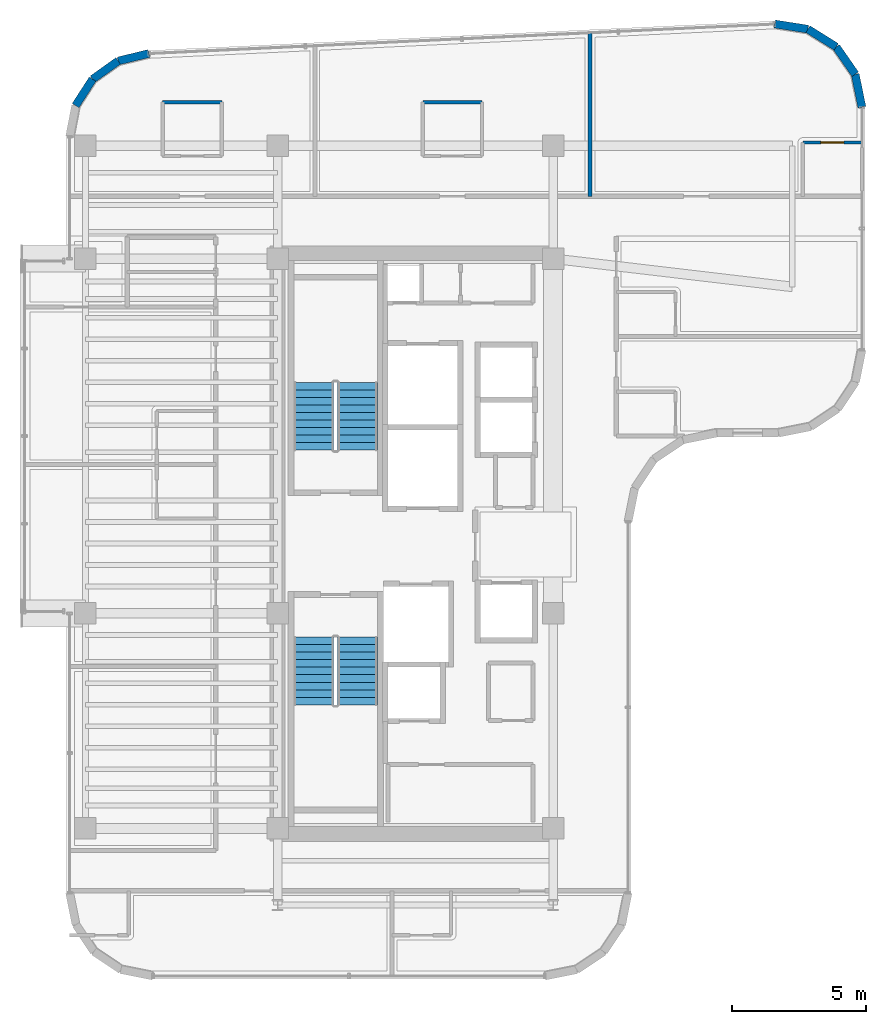
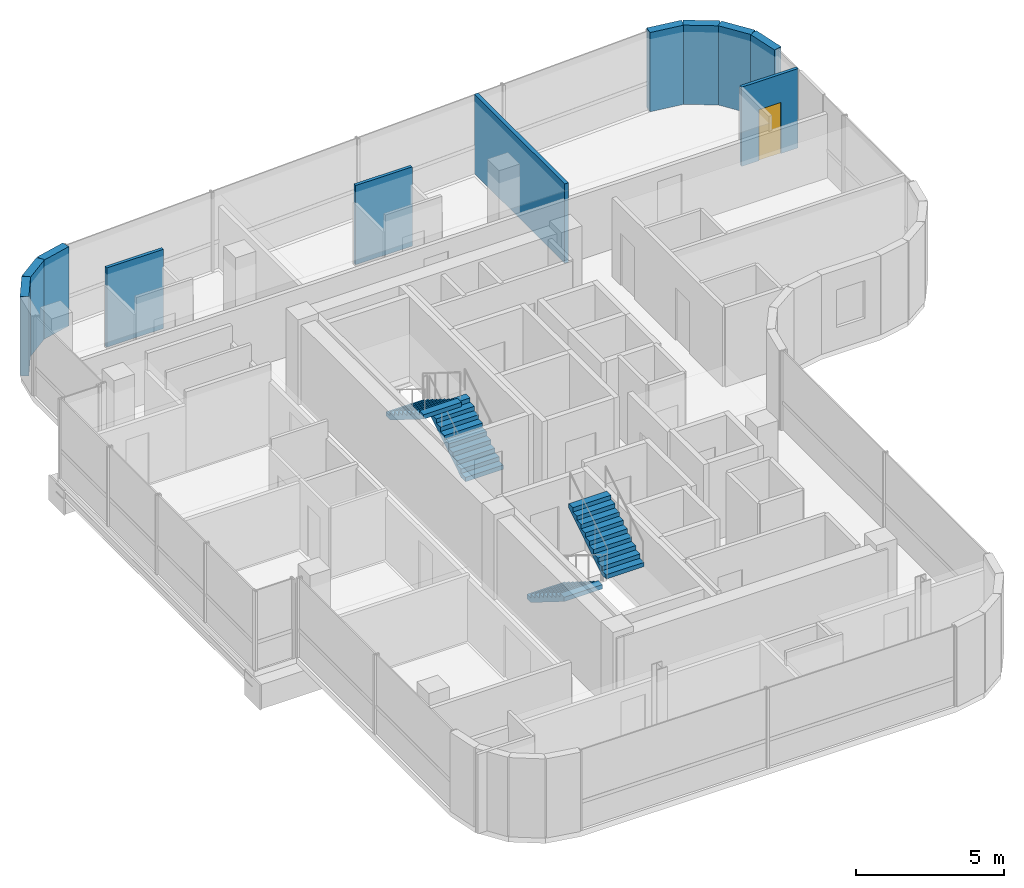
# One storey, part 17 of 20: 11 walls, 4 stair flights, 1 door, 1 opening, 2 elements without a shape of their own.
"""IFC4 building model written with IfcOpenShell, lengths in metres."""

import ifcopenshell
import ifcopenshell.guid

model = None  # the IFC model being written
_history = None  # IfcOwnerHistory: only IFC2X3 demands one
_inside = {}  # id of a spatial element -> (the spatial element, [elements in it])
_under = {}  # id of a project, library or spatial element -> (it, [spatial elements below it])
_declared = {}  # id of a project -> (the project, [libraries it declares])
_typed = {}  # id of a type object -> (the type object, [elements of that type])
_made_of = {}  # id of a material, layer set ... -> (it, [elements and type objects made of it])


def new_model(schema):
    """Start an empty IFC model of exactly this schema.

    Asked for "IFC4X3", IfcOpenShell would pick the latest addendum, in which some entities
    have other attributes; the version numbers below select the first issue.
    IFC2X3 requires an IfcOwnerHistory on every rooted entity: one is made here for all.
    """
    global model, _history
    if schema == "IFC4X3":
        model = ifcopenshell.file(schema_version=(4, 3, 0, 0))
    else:
        model = ifcopenshell.file(schema=schema)
    _inside.clear()
    _under.clear()
    _declared.clear()
    _typed.clear()
    _made_of.clear()
    _history = None
    if model.schema == "IFC2X3":
        org = make("IfcOrganization", Name="unknown")
        user = make(
            "IfcPersonAndOrganization",
            ThePerson=make("IfcPerson", FamilyName="unknown"),
            TheOrganization=org,
        )
        app = make(
            "IfcApplication",
            ApplicationDeveloper=org,
            Version="unknown",
            ApplicationFullName="unknown",
            ApplicationIdentifier="unknown",
        )
        _history = make(
            "IfcOwnerHistory",
            OwningUser=user,
            OwningApplication=app,
            ChangeAction="ADDED",
            CreationDate=0,
        )
    return model


def make(cls, **values):
    """One entity of the class cls with the attributes given. An attribute that is None is left unset."""
    return model.create_entity(
        cls, **{name: value for name, value in values.items() if value is not None}
    )


def rooted(cls, **values):
    """An entity with a GlobalId (a new one), such as an element, a storey or a relation."""
    return make(cls, GlobalId=ifcopenshell.guid.new(), OwnerHistory=_history, **values)


def si_unit(unit_type, name, prefix=None):
    """IfcSIUnit, for example si_unit("LENGTHUNIT", "METRE", prefix="MILLI")."""
    return make("IfcSIUnit", UnitType=unit_type, Prefix=prefix, Name=name)


def assignment(units):
    """IfcUnitAssignment: the units of a project."""
    return None if units is None else make("IfcUnitAssignment", Units=units)


def point(xyz):
    """IfcCartesianPoint."""
    return None if xyz is None else make("IfcCartesianPoint", Coordinates=xyz)


def direction(xyz):
    """IfcDirection."""
    return None if xyz is None else make("IfcDirection", DirectionRatios=xyz)


def frame(location, z_axis=None, x_axis=None):
    """IfcAxis2Placement3D, a coordinate frame: its origin and axes. An axis left out is left unset."""
    return make(
        "IfcAxis2Placement3D",
        Location=point(location),
        Axis=direction(z_axis),
        RefDirection=direction(x_axis),
    )


def frame_2d(location, x_axis=None):
    """IfcAxis2Placement2D, a coordinate frame in the plane: its origin and x axis."""
    return make(
        "IfcAxis2Placement2D", Location=point(location), RefDirection=direction(x_axis)
    )


def origin():
    """The frame at (0, 0, 0) with its axes left unset."""
    return frame((0.0, 0.0, 0.0))


def place(relative_to, where):
    """IfcLocalPlacement: puts the frame where relative to a parent placement (None: the world)."""
    return make(
        "IfcLocalPlacement", PlacementRelTo=relative_to, RelativePlacement=where
    )


def context(
    kind, dimensions, precision=None, world=None, true_north=None, identifier=None
):
    """IfcGeometricRepresentationContext, for example the 3D "Model" context."""
    return make(
        "IfcGeometricRepresentationContext",
        ContextIdentifier=identifier,
        ContextType=kind,
        CoordinateSpaceDimension=dimensions,
        Precision=precision,
        WorldCoordinateSystem=world,
        TrueNorth=true_north,
    )


def subcontext(parent, identifier, kind, view, scale=None):
    """IfcGeometricRepresentationSubContext, for example "Body" below "Model"."""
    return make(
        "IfcGeometricRepresentationSubContext",
        ContextIdentifier=identifier,
        ContextType=kind,
        ParentContext=parent,
        TargetScale=scale,
        TargetView=view,
    )


def project(units=None, contexts=None):
    """IfcProject with its units and contexts."""
    return rooted(
        "IfcProject",
        Name="project",
        RepresentationContexts=contexts,
        UnitsInContext=assignment(units),
    )


def spatial(cls, under=None, at=None, **own):
    """A site, building, storey or space (cls), placed at a placement, below another one or the project."""
    s = rooted(cls, ObjectPlacement=at, **own)
    if under is not None:
        _under.setdefault(under.id(), (under, []))[1].append(s)
    return s


def polyline(points):
    """IfcPolyline through the points."""
    return make("IfcPolyline", Points=[point(p) for p in points])


def profile(cls, at=None, kind="AREA", **sizes):
    """A parametric profile (cls). Its sizes go by their IFC names, for example OverallWidth=200.0."""
    return make(cls, ProfileType=kind, Position=at, **sizes)


def rectangle(**sizes):
    """IfcRectangleProfileDef."""
    return profile("IfcRectangleProfileDef", **sizes)


def outline(outer, holes=None, kind="AREA"):
    """IfcArbitraryClosedProfileDef: a profile drawn as a closed curve; with holes, ...WithVoids."""
    if holes is None:
        return make("IfcArbitraryClosedProfileDef", ProfileType=kind, OuterCurve=outer)
    return make(
        "IfcArbitraryProfileDefWithVoids",
        ProfileType=kind,
        OuterCurve=outer,
        InnerCurves=holes,
    )


def extrude(swept, where, along, depth):
    """IfcExtrudedAreaSolid: the profile swept, set in the frame where, extruded along a direction by depth."""
    return make(
        "IfcExtrudedAreaSolid",
        SweptArea=swept,
        Position=where,
        ExtrudedDirection=direction(along),
        Depth=depth,
    )


def shape(context_of_items, identifier, shape_type, items):
    """IfcShapeRepresentation: the items that make up one representation, for example the "Body"."""
    return make(
        "IfcShapeRepresentation",
        ContextOfItems=context_of_items,
        RepresentationIdentifier=identifier,
        RepresentationType=shape_type,
        Items=items,
    )


def material(Name=None, Category=None):
    """IfcMaterial."""
    return make("IfcMaterial", Name=Name, Category=Category)


def layer(
    of_material, thickness, ventilated=None, Name=None, Category=None, Priority=None
):
    """IfcMaterialLayer: one layer of a wall or slab, of a material (None: an air gap)."""
    return make(
        "IfcMaterialLayer",
        Material=of_material,
        LayerThickness=thickness,
        IsVentilated=ventilated,
        Name=Name,
        Category=Category,
        Priority=Priority,
    )


def layer_set(layers, Name=None):
    """IfcMaterialLayerSet."""
    return make("IfcMaterialLayerSet", MaterialLayers=layers, LayerSetName=Name)


def made_of(thing, what):
    """Note that an element or type object is made of a material, layer set ...; save() writes the relation."""
    if what is not None:
        _made_of.setdefault(what.id(), (what, []))[1].append(thing)
    return thing


def type_object(cls, material=None, **own):
    """A type object (cls), such as IfcWallType, which elements share."""
    return made_of(rooted(cls, **own), material)


def element(
    cls,
    number,
    at=None,
    inside=None,
    cuts=None,
    type_object=None,
    material=None,
    context=None,
    identifier="Body",
    shape_type=None,
    held_by="IfcProductDefinitionShape",
    body=None,
    shapes=None,
    **own,
):
    """One element of the class cls, such as IfcWall. Its Tag is "e" and its number.

    at: its placement. inside: the storey or other place that contains it. cuts: it is an
    opening in that element (IfcRelVoidsElement). A single representation is given by context,
    identifier, shape_type and body (its items); several are given by shapes. held_by: the class
    of the entity that holds the representations. save() writes the other relations.
    """
    e = rooted(cls, Tag="e%d" % number, ObjectPlacement=at, **own)
    if body is not None:
        shapes = [shape(context, identifier, shape_type, body)]
    if shapes is not None:
        e.Representation = make(held_by, Representations=shapes)
    if inside is not None:
        _inside.setdefault(inside.id(), (inside, []))[1].append(e)
    if cuts is not None:
        rooted(
            "IfcRelVoidsElement", RelatingBuildingElement=cuts, RelatedOpeningElement=e
        )
    if type_object is not None:
        _typed.setdefault(type_object.id(), (type_object, []))[1].append(e)
    return made_of(e, material)


def fill(opening, filler):
    """IfcRelFillsElement: the door or window that sits in an opening."""
    return rooted(
        "IfcRelFillsElement",
        RelatingOpeningElement=opening,
        RelatedBuildingElement=filler,
    )


def aggregate(whole, parts):
    """IfcRelAggregates: a whole, such as a stair, and the parts it consists of."""
    return rooted("IfcRelAggregates", RelatingObject=whole, RelatedObjects=parts)


def save(model, path):
    """Write the relations noted so far, then the file.

    IfcRelAggregates (storeys below a building ...), IfcRelContainedInSpatialStructure (elements
    in a storey), IfcRelDefinesByType, IfcRelAssociatesMaterial and IfcRelDeclares: one each for
    every whole, place, type object, material and project.
    """
    for whole, parts in _under.values():
        aggregate(whole, parts)
    for where, things in _inside.values():
        rooted(
            "IfcRelContainedInSpatialStructure",
            RelatedElements=things,
            RelatingStructure=where,
        )
    for kind, things in _typed.values():
        rooted("IfcRelDefinesByType", RelatedObjects=things, RelatingType=kind)
    for what, things in _made_of.values():
        rooted("IfcRelAssociatesMaterial", RelatedObjects=things, RelatingMaterial=what)
    for by, libraries in _declared.values():
        rooted("IfcRelDeclares", RelatingContext=by, RelatedDefinitions=libraries)
    model.write(path)


model = new_model("IFC4")

# Units and contexts
model_context = context("Model", 3, precision=1e-05, world=origin(), true_north=direction((0.0, 1.0)))
body_context = subcontext(model_context, "Body", "Model", "MODEL_VIEW")
ifc_project = project(units=[si_unit("LENGTHUNIT", "METRE"), si_unit("AREAUNIT", "SQUARE_METRE"), si_unit("VOLUMEUNIT", "CUBIC_METRE"), si_unit("PLANEANGLEUNIT", "RADIAN"), si_unit("MASSUNIT", "GRAM", prefix="KILO")], contexts=[model_context])

# Site, building, storey
site_placement = place(None, origin())
site = spatial("IfcSite", under=ifc_project, at=site_placement, CompositionType="ELEMENT")
building_placement = place(site_placement, origin())
building = spatial("IfcBuilding", under=site, at=building_placement, Name="Valdorenza Pilgrim Sanctuary Tower", CompositionType="ELEMENT")
storey_placement = place(building_placement, frame((0.0, 0.0, 240.5)))
storey = spatial("IfcBuildingStorey", under=building, at=storey_placement, Name="L62", CompositionType="ELEMENT", Elevation=240.5)

# Walls
ifc_material_1 = material(Name="Honed travertine limestone", Category="masonry")
ifc_layer_1 = layer(ifc_material_1, 0.300048828125, Name="Honed travertine limestone")
ifc_layer_set_1 = layer_set([ifc_layer_1], Name="Honed travertine limestone")
wall_type_1 = type_object("IfcWallType", Name="WAL-EXT-300", PredefinedType="SOLIDWALL", material=ifc_layer_set_1)
wall_1_placement = place(storey_placement, frame((-30.16650390625, 16.29541015625, 0.0), z_axis=(0.0, 0.0, 1.0), x_axis=(0.540842020947, 0.841124193195, 0.0)))
element("IfcWall", 1, at=wall_1_placement, inside=storey, type_object=wall_type_1, Name="L62 Rounded Wind-Corner Stone Pier 3", PredefinedType="SOLIDWALL", context=body_context, shape_type="SweptSolid", body=[
    extrude(rectangle(XDim=1.169189453125, YDim=0.300048828125, at=frame_2d((0.58447265625, 0.0))), origin(), (0.0, 0.0, 1.0), 3.260009765625),
])
wall_2_placement = place(storey_placement, frame((-29.5341796875, 17.27880859375, 0.0), z_axis=(0.0, 0.0, 1.0), x_axis=(0.81466371606, 0.579933642527, 0.0)))
element("IfcWall", 2, at=wall_2_placement, inside=storey, type_object=wall_type_1, Name="L62 Rounded Wind-Corner Stone Pier 4", PredefinedType="SOLIDWALL", context=body_context, shape_type="SweptSolid", body=[
    extrude(rectangle(XDim=1.1689453125, YDim=0.300048828125, at=frame_2d((0.58447265625, 0.0))), origin(), (0.0, 0.0, 1.0), 3.260009765625),
])
wall_3_placement = place(storey_placement, frame((-28.581787109375, 17.956787109375, 0.0), z_axis=(0.0, 0.0, 1.0), x_axis=(0.971929016595, 0.235274279725, 0.0)))
element("IfcWall", 3, at=wall_3_placement, inside=storey, type_object=wall_type_1, Name="L62 Rounded Wind-Corner Stone Pier 5", PredefinedType="SOLIDWALL", context=body_context, shape_type="SweptSolid", body=[
    extrude(rectangle(XDim=1.179931640625, YDim=0.300048828125, at=frame_2d((0.58984375, 0.0))), origin(), (0.0, 0.0, 1.0), 3.260009765625),
])
wall_4_placement = place(storey_placement, frame((-4.15673828125, 19.331787109375, 0.0), z_axis=(0.0, 0.0, 1.0), x_axis=(0.987969236552, -0.15465053387, 0.0)))
element("IfcWall", 4, at=wall_4_placement, inside=storey, type_object=wall_type_1, Name="L62 Rounded Wind-Corner Stone Pier 7", PredefinedType="SOLIDWALL", context=body_context, shape_type="SweptSolid", body=[
    extrude(rectangle(XDim=1.251953125, YDim=0.300048828125, at=frame_2d((0.6259765625, 0.0))), origin(), (0.0, 0.0, 1.0), 3.260009765625),
])
for number, where, z_axis, x_axis, name in (
    (5, (-2.919921875, 19.13818359375, 0.0), (0.0, 0.0, 1.0), (0.847489288141, -0.530812496543, 0.0), "L62 Rounded Wind-Corner Stone Pier 8"),
    (6, (-1.86865234375, 18.479736328125, 0.0), (0.0, 0.0, 1.0), (0.570181861951, -0.821518499063, 0.0), "L62 Rounded Wind-Corner Stone Pier 9"),
):
    element("IfcWall", number, at=place(storey_placement, frame(where, z_axis=z_axis, x_axis=x_axis)), inside=storey, type_object=wall_type_1, Name=name, PredefinedType="SOLIDWALL", context=body_context, shape_type="SweptSolid", body=[
        extrude(rectangle(XDim=1.240478515625, YDim=0.300048828125, at=frame_2d((0.6201171875, 0.0))), origin(), (0.0, 0.0, 1.0), 3.260009765625),
    ])
wall_5_placement = place(storey_placement, frame((-1.161376953125, 17.460693359375, 0.0), z_axis=(0.0, 0.0, 1.0), x_axis=(0.20087696073, -0.979616479367, 0.0)))
element("IfcWall", 7, at=wall_5_placement, inside=storey, type_object=wall_type_1, Name="L62 Rounded Wind-Corner Stone Pier 10", PredefinedType="SOLIDWALL", context=body_context, shape_type="SweptSolid", body=[
    extrude(rectangle(XDim=1.251953125, YDim=0.300048828125, at=frame_2d((0.6259765625, 0.0))), origin(), (0.0, 0.0, 1.0), 3.260009765625),
])
ifc_material_2 = material(Name="Moisture-resistant gypsum partition", Category="gypsum")
ifc_layer_2 = layer(ifc_material_2, 0.1201171875, Name="Moisture-resistant gypsum partition")
ifc_layer_set_2 = layer_set([ifc_layer_2], Name="Moisture-resistant gypsum partition")
wall_type_2 = type_object("IfcWallType", Name="WAL-INT-120", PredefinedType="PARTITIONING", material=ifc_layer_set_2)
for number, where, z_axis, x_axis, name in (
    (8, (-26.928466796875, 16.419921875, 0.0), (0.0, 0.0, 1.0), (1.0, 0.0, 0.0), "L62 North Guest Room L62-N1 En-suite Back Wall"),
    (9, (-17.25, 16.419921875, 0.0), (0.0, 0.0, 1.0), (1.0, 0.0, 0.0), "L62 North Guest Room L62-N2 En-suite Back Wall"),
):
    element("IfcWall", number, at=place(storey_placement, frame(where, z_axis=z_axis, x_axis=x_axis)), inside=storey, type_object=wall_type_2, Name=name, PredefinedType="PARTITIONING", context=body_context, shape_type="SweptSolid", body=[
        extrude(rectangle(XDim=2.199951171875, YDim=0.1201171875, at=frame_2d((1.10009765625, 0.0))), origin(), (0.0, 0.0, 1.0), 3.260009765625),
    ])

# Wall, opening, door
wall_6_placement = place(storey_placement, frame((-3.110107421875, 14.919921875, 0.0), z_axis=(0.0, 0.0, 1.0), x_axis=(1.0, 0.0, 0.0)))
wall_6 = element("IfcWall", 10, at=wall_6_placement, inside=storey, type_object=wall_type_2, Name="L62 North Guest Room L62-N3 En-suite Door Wall", PredefinedType="PARTITIONING", context=body_context, shape_type="SweptSolid", body=[
    extrude(rectangle(XDim=2.2001953125, YDim=0.1201171875, at=frame_2d((1.10009765625, 0.0))), origin(), (0.0, 0.0, 1.0), 3.260009765625),
])
opening_placement = place(wall_6_placement, frame((0.675048828125, 0.0, 0.0)))
opening = element("IfcOpeningElement", 11, at=opening_placement, cuts=wall_6, Name="Opening DR-WC1", PredefinedType="OPENING", context=body_context, shape_type="SweptSolid", body=[
    extrude(rectangle(XDim=0.85009765625, YDim=2.10009765625, at=frame_2d((0.425048828125, 1.050048828125))), frame((0.0, 0.074951171875, 0.0), z_axis=(0.0, -1.0, 0.0), x_axis=(1.0, 0.0, 0.0)), (0.0, 0.0, 1.0), 0.14990234375),
])
ifc_material_3 = material(Name="Moisture-resistant lacquered timber", Category="wood")
door_type = type_object("IfcDoorType", Name="DR-BATH-850", OperationType="NOTDEFINED", PredefinedType="DOOR", material=ifc_material_3)
door_placement = place(opening_placement, origin())
door = element("IfcDoor", 12, at=door_placement, inside=storey, type_object=door_type, Name="L62 North Guest Room L62-N3 En-suite Bathroom Door", OperationType="SINGLE_SWING_RIGHT", OverallHeight=2.10009765625, OverallWidth=0.85009765625, PredefinedType="DOOR", context=body_context, shape_type="SweptSolid", body=[
    extrude(rectangle(XDim=0.85009765625, YDim=2.10009765625, at=frame_2d((0.425048828125, 1.050048828125))), frame((0.0, 0.02490234375, 0.0), z_axis=(0.0, -1.0, 0.0), x_axis=(1.0, 0.0, 0.0)), (0.0, 0.0, 1.0), 0.050048828125),
])
fill(opening, door)

# Wall
ifc_material_4 = material(Name="Acoustic twin-stud gypsum partition", Category="gypsum")
ifc_layer_3 = layer(ifc_material_4, 0.14990234375, Name="Acoustic twin-stud gypsum partition")
ifc_layer_set_3 = layer_set([ifc_layer_3], Name="Acoustic twin-stud gypsum partition")
wall_type_3 = type_object("IfcWallType", Name="WAL-UNT-150", PredefinedType="PARTITIONING", material=ifc_layer_set_3)
wall_7_placement = place(storey_placement, frame((-11.032958984375, 12.919921875, 0.0), z_axis=(0.0, 0.0, 1.0), x_axis=(0.0, 1.0, 0.0)))
element("IfcWall", 13, at=wall_7_placement, inside=storey, type_object=wall_type_3, Name="L62 North Demising 2", PredefinedType="PARTITIONING", context=body_context, shape_type="SweptSolid", body=[
    extrude(rectangle(XDim=6.087646484375, YDim=0.14990234375, at=frame_2d((3.0439453125, 0.0))), origin(), (0.0, 0.0, 1.0), 3.260009765625),
])

# Stair, stair flights
ifc_material_5 = material(Name="Concrete C40/50", Category="concrete")
stair_type = type_object("IfcStairType", Name="STR-DOG-CORE", PredefinedType="HALF_TURN_STAIR", material=ifc_material_5)
stair_1_placement = place(storey_placement, origin())
stair_1 = element("IfcStair", 14, at=stair_1_placement, inside=storey, type_object=stair_type, Name="L62 ST-A1", PredefinedType="HALF_TURN_STAIR")
stair_flight_type = type_object("IfcStairFlightType", Name="STF-RC-1400", PredefinedType="STRAIGHT", material=ifc_material_5)
stair_flight_1_placement = place(storey_placement, frame((-19.679931640625, 3.47998046875, 0.0), z_axis=(0.0, 0.0, 1.0), x_axis=(0.0, 1.0, 0.0)))
stair_flight_1 = element("IfcStairFlight", 15, at=stair_flight_1_placement, type_object=stair_flight_type, Name="ST-A1 flight 1", NumberOfRisers=10, NumberOfTreads=9, PredefinedType="STRAIGHT", RiserHeight=0.175, TreadLength=0.28, context=body_context, shape_type="SweptSolid", body=[
    extrude(outline(polyline([(0.0, 0.0), (0.0, 0.175048828125), (0.280029296875, 0.175048828125), (0.280029296875, 0.35009765625), (0.56005859375, 0.35009765625), (0.56005859375, 0.52490234375), (0.840087890625, 0.52490234375), (0.840087890625, 0.699951171875), (1.1201171875, 0.699951171875), (1.1201171875, 0.875), (1.39990234375, 0.875), (1.39990234375, 1.050048828125), (1.679931640625, 1.050048828125), (1.679931640625, 1.22509765625), (1.9599609375, 1.22509765625), (1.9599609375, 1.39990234375), (2.239990234375, 1.39990234375), (2.239990234375, 1.574951171875), (2.52001953125, 1.574951171875), (2.52001953125, 1.75), (2.52001953125, 1.398193359375), (0.28271484375, 0.0), (0.0, 0.0)])), frame((0.0, 0.739990234375, 0.0), z_axis=(0.0, -1.0, 0.0), x_axis=(1.0, 0.0, 0.0)), (0.0, 0.0, 1.0), 1.47998046875),
])
stair_flight_2_placement = place(storey_placement, frame((-21.31005859375, 6.0, 1.75), z_axis=(0.0, 0.0, 1.0), x_axis=(0.0, -1.0, 0.0)))
stair_flight_2 = element("IfcStairFlight", 16, at=stair_flight_2_placement, type_object=stair_flight_type, Name="ST-A1 flight 2", NumberOfRisers=10, NumberOfTreads=9, PredefinedType="STRAIGHT", RiserHeight=0.175, TreadLength=0.28, context=body_context, shape_type="SweptSolid", body=[
    extrude(outline(polyline([(0.0, 0.0), (0.0, 0.175048828125), (0.280029296875, 0.175048828125), (0.280029296875, 0.35009765625), (0.56005859375, 0.35009765625), (0.56005859375, 0.52490234375), (0.840087890625, 0.52490234375), (0.840087890625, 0.699951171875), (1.1201171875, 0.699951171875), (1.1201171875, 0.875), (1.39990234375, 0.875), (1.39990234375, 1.050048828125), (1.679931640625, 1.050048828125), (1.679931640625, 1.22509765625), (1.9599609375, 1.22509765625), (1.9599609375, 1.39990234375), (2.239990234375, 1.39990234375), (2.239990234375, 1.574951171875), (2.52001953125, 1.574951171875), (2.52001953125, 1.75), (2.52001953125, 1.398193359375), (0.28271484375, 0.0), (0.0, 0.0)])), frame((0.0, 0.739990234375, 0.0), z_axis=(0.0, -1.0, 0.0), x_axis=(1.0, 0.0, 0.0)), (0.0, 0.0, 1.0), 1.47998046875),
])
aggregate(stair_1, [stair_flight_1, stair_flight_2])

stair_2_placement = place(storey_placement, origin())
stair_2 = element("IfcStair", 17, at=stair_2_placement, inside=storey, type_object=stair_type, Name="L62 ST-A2", PredefinedType="HALF_TURN_STAIR")
stair_flight_3_placement = place(storey_placement, frame((-21.31005859375, -3.47998046875, 0.0), z_axis=(0.0, 0.0, 1.0), x_axis=(0.0, -1.0, 0.0)))
stair_flight_3 = element("IfcStairFlight", 18, at=stair_flight_3_placement, type_object=stair_flight_type, Name="ST-A2 flight 1", NumberOfRisers=10, NumberOfTreads=9, PredefinedType="STRAIGHT", RiserHeight=0.175, TreadLength=0.28, context=body_context, shape_type="SweptSolid", body=[
    extrude(outline(polyline([(0.0, 0.0), (0.0, 0.175048828125), (0.280029296875, 0.175048828125), (0.280029296875, 0.35009765625), (0.56005859375, 0.35009765625), (0.56005859375, 0.52490234375), (0.840087890625, 0.52490234375), (0.840087890625, 0.699951171875), (1.1201171875, 0.699951171875), (1.1201171875, 0.875), (1.39990234375, 0.875), (1.39990234375, 1.050048828125), (1.679931640625, 1.050048828125), (1.679931640625, 1.22509765625), (1.9599609375, 1.22509765625), (1.9599609375, 1.39990234375), (2.239990234375, 1.39990234375), (2.239990234375, 1.574951171875), (2.52001953125, 1.574951171875), (2.52001953125, 1.75), (2.52001953125, 1.398193359375), (0.28271484375, 0.0), (0.0, 0.0)])), frame((0.0, 0.739990234375, 0.0), z_axis=(0.0, -1.0, 0.0), x_axis=(1.0, 0.0, 0.0)), (0.0, 0.0, 1.0), 1.47998046875),
])
stair_flight_4_placement = place(storey_placement, frame((-19.679931640625, -6.0, 1.75), z_axis=(0.0, 0.0, 1.0), x_axis=(0.0, 1.0, 0.0)))
stair_flight_4 = element("IfcStairFlight", 19, at=stair_flight_4_placement, type_object=stair_flight_type, Name="ST-A2 flight 2", NumberOfRisers=10, NumberOfTreads=9, PredefinedType="STRAIGHT", RiserHeight=0.175, TreadLength=0.28, context=body_context, shape_type="SweptSolid", body=[
    extrude(outline(polyline([(0.0, 0.0), (0.0, 0.175048828125), (0.280029296875, 0.175048828125), (0.280029296875, 0.35009765625), (0.56005859375, 0.35009765625), (0.56005859375, 0.52490234375), (0.840087890625, 0.52490234375), (0.840087890625, 0.699951171875), (1.1201171875, 0.699951171875), (1.1201171875, 0.875), (1.39990234375, 0.875), (1.39990234375, 1.050048828125), (1.679931640625, 1.050048828125), (1.679931640625, 1.22509765625), (1.9599609375, 1.22509765625), (1.9599609375, 1.39990234375), (2.239990234375, 1.39990234375), (2.239990234375, 1.574951171875), (2.52001953125, 1.574951171875), (2.52001953125, 1.75), (2.52001953125, 1.398193359375), (0.28271484375, 0.0), (0.0, 0.0)])), frame((0.0, 0.739990234375, 0.0), z_axis=(0.0, -1.0, 0.0), x_axis=(1.0, 0.0, 0.0)), (0.0, 0.0, 1.0), 1.47998046875),
])
aggregate(stair_2, [stair_flight_3, stair_flight_4])

save(model, "model.ifc")
